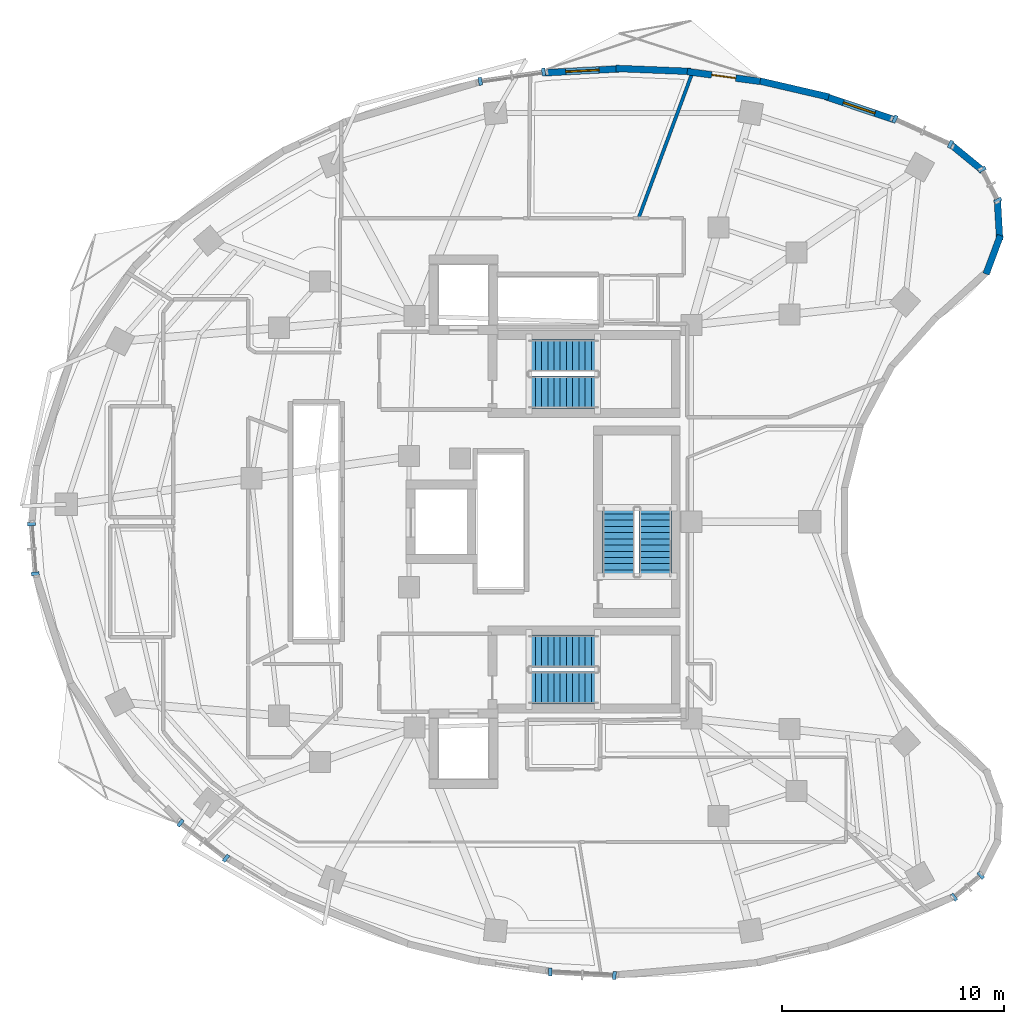
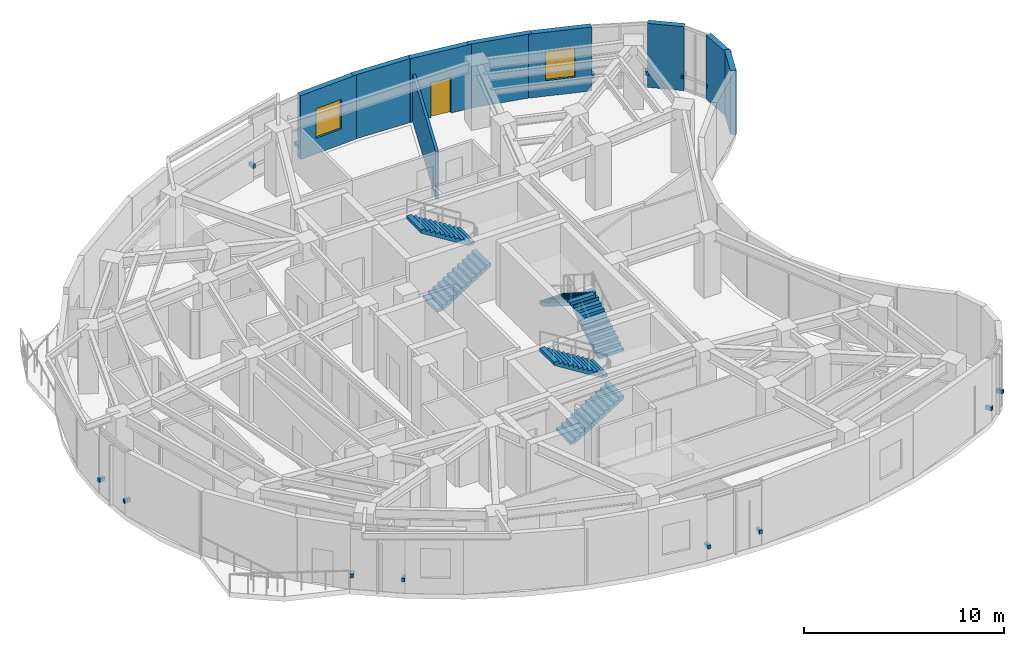
# One storey, part 10 of 13: 14 discrete accessories, 9 walls, 6 stair flights, 2 windows, 1 door, 3 openings, 3 elements without a shape of their own.
"""IFC4 building model written with IfcOpenShell, lengths in metres."""

from ifc_helpers import new_model, si_unit, direction, frame, frame_2d, origin, origin_2d, place, context, subcontext, project, spatial, polyline, rectangle, outline, extrude, material, layer, layer_set, type_object, element, fill, aggregate, save


model = new_model("IFC4")

# Units and contexts
model_context = context("Model", 3, precision=1e-05, world=origin(), true_north=direction((0.0, 1.0)))
body_context = subcontext(model_context, "Body", "Model", "MODEL_VIEW")
ifc_project = project(units=[si_unit("LENGTHUNIT", "METRE"), si_unit("AREAUNIT", "SQUARE_METRE"), si_unit("VOLUMEUNIT", "CUBIC_METRE"), si_unit("PLANEANGLEUNIT", "RADIAN"), si_unit("MASSUNIT", "GRAM", prefix="KILO")], contexts=[model_context])

# Site, building, storey
site_placement = place(None, origin())
site = spatial("IfcSite", under=ifc_project, at=site_placement, CompositionType="ELEMENT")
building_placement = place(site_placement, origin())
building = spatial("IfcBuilding", under=site, at=building_placement, Name="Korentha Bioscience Tower", CompositionType="ELEMENT")
storey_placement = place(building_placement, frame((0.0, 0.0, 183.60009765625)))
storey = spatial("IfcBuildingStorey", under=building, at=storey_placement, Name="L42", CompositionType="ELEMENT", Elevation=183.60009765625)

# Wall
ifc_material_1 = material(Name="Double-Stud Acoustic Gypsum", Category="gypsum")
ifc_layer_1 = layer(ifc_material_1, 0.14990234375, Name="Double-Stud Acoustic Gypsum")
ifc_layer_set_1 = layer_set([ifc_layer_1], Name="Double-Stud Acoustic Gypsum (IW-L150)")
wall_type_1 = type_object("IfcWallType", Name="Acoustic Laboratory Partition Wall 150", PredefinedType="PARTITIONING", material=ifc_layer_set_1)
wall_1_placement = place(storey_placement, frame((35.175537109375, 40.659912109375, 0.0), z_axis=(0.0, 0.0, 1.0), x_axis=(0.346944137663, 0.937885795468, 0.0)))
element("IfcWall", 1, at=wall_1_placement, inside=storey, type_object=wall_type_1, Name="L42 Interior Partition 066", PredefinedType="PARTITIONING", context=body_context, shape_type="SweptSolid", body=[
    extrude(rectangle(XDim=7.131103515625, YDim=0.14990234375, at=frame_2d((3.5654296875, 0.0))), origin(), (0.0, 0.0, 1.0), 2.909912109375),
])

# Wall, opening, window
ifc_material_2 = material(Name="Honed Limestone Precast Concrete C40", Category="masonry")
ifc_layer_2 = layer(ifc_material_2, 0.300048828125, Name="Honed Limestone Precast Concrete C40")
ifc_layer_set_2 = layer_set([ifc_layer_2], Name="Honed Limestone Precast Concrete C40 (EW-ST300)")
wall_type_2 = type_object("IfcWallType", Name="Honed Limestone Cavity Spandrel Wall 300", PredefinedType="STANDARD", material=ifc_layer_set_2)
wall_2_placement = place(storey_placement, frame((46.626953125, 45.105224609375, 0.0), z_axis=(0.0, 0.0, 1.0), x_axis=(-0.947663163736, 0.319271871761, 0.0)))
wall_2 = element("IfcWall", 2, at=wall_2_placement, inside=storey, type_object=wall_type_2, Name="L42 Honed Limestone Spandrel Wall 02", PredefinedType="STANDARD", context=body_context, shape_type="SweptSolid", body=[
    extrude(rectangle(XDim=3.222412109375, YDim=0.300048828125, at=frame_2d((1.611328125, 0.0))), origin(), (0.0, 0.0, 1.0), 3.89990234375),
])
opening_1_placement = place(wall_2_placement, frame((0.861083984375, 0.0, 0.949951171875)))
opening_1 = element("IfcOpeningElement", 3, at=opening_1_placement, cuts=wall_2, Name="Opening WN-02", PredefinedType="OPENING", context=body_context, shape_type="SweptSolid", body=[
    extrude(rectangle(XDim=1.5, YDim=1.800048828125, at=frame_2d((0.75, 0.89990234375))), frame((0.0, 0.1650390625, 0.0), z_axis=(0.0, -1.0, 0.0), x_axis=(1.0, 0.0, 0.0)), (0.0, 0.0, 1.0), 0.329833984375),
])
ifc_material_3 = material(Name="Thermally Broken Aluminium Triple Glazing", Category="aluminium")
window_type = type_object("IfcWindowType", Name="Acoustic Operable Office Window 1500x1800", PartitioningType="DOUBLE_PANEL_VERTICAL", PredefinedType="WINDOW", material=ifc_material_3)
window_1_placement = place(opening_1_placement, origin())
window_1 = element("IfcWindow", 4, at=window_1_placement, inside=storey, type_object=window_type, Name="L42 Facade Window 02", OverallHeight=1.800048828125, OverallWidth=1.5, PartitioningType="DOUBLE_PANEL_VERTICAL", PredefinedType="WINDOW", context=body_context, shape_type="SweptSolid", body=[
    extrude(rectangle(XDim=1.5, YDim=1.800048828125, at=frame_2d((0.75, 0.89990234375))), frame((0.0, 0.030029296875, 0.0), z_axis=(0.0, -1.0, 0.0), x_axis=(1.0, 0.0, 0.0)), (0.0, 0.0, 1.0), 0.06005859375),
])
fill(opening_1, window_1)

# Wall, opening, door
wall_3_placement = place(storey_placement, frame((40.646484375, 46.81201171875, 0.0), z_axis=(0.0, 0.0, 1.0), x_axis=(-0.991139436205, 0.132825517122, 0.0)))
wall_3 = element("IfcWall", 5, at=wall_3_placement, inside=storey, type_object=wall_type_2, Name="L42 Balcony Threshold Wall 01", PredefinedType="STANDARD", context=body_context, shape_type="SweptSolid", body=[
    extrude(rectangle(XDim=3.310302734375, YDim=0.300048828125, at=frame_2d((1.6552734375, 0.0))), origin(), (0.0, 0.0, 1.0), 3.89990234375),
])
opening_2_placement = place(wall_3_placement, frame((1.105224609375, 0.0, 0.0)))
opening_2 = element("IfcOpeningElement", 6, at=opening_2_placement, cuts=wall_3, Name="Opening BD-11L", PredefinedType="OPENING", context=body_context, shape_type="SweptSolid", body=[
    extrude(rectangle(XDim=1.10009765625, YDim=2.14990234375, at=frame_2d((0.550048828125, 1.074951171875))), frame((0.0, 0.1650390625, 0.0), z_axis=(0.0, -1.0, 0.0), x_axis=(1.0, 0.0, 0.0)), (0.0, 0.0, 1.0), 0.329833984375),
])
ifc_material_4 = material(Name="Thermally Broken Glazed Aluminium", Category="aluminium")
door_type = type_object("IfcDoorType", Name="Balcony Terrace Glazed Door 1100x2150 Left", OperationType="SINGLE_SWING_LEFT", PredefinedType="DOOR", material=ifc_material_4)
door_placement = place(opening_2_placement, origin())
door = element("IfcDoor", 7, at=door_placement, inside=storey, type_object=door_type, Name="L42 Balcony Access Door 01", OperationType="SINGLE_SWING_LEFT", OverallHeight=2.14990234375, OverallWidth=1.10009765625, PredefinedType="DOOR", context=body_context, shape_type="SweptSolid", body=[
    extrude(rectangle(XDim=1.10009765625, YDim=2.14990234375, at=frame_2d((0.550048828125, 1.074951171875))), frame((0.0, 0.02490234375, 0.0), z_axis=(0.0, -1.0, 0.0), x_axis=(1.0, 0.0, 0.0)), (0.0, 0.0, 1.0), 0.050048828125),
])
fill(opening_2, door)

# Wall, opening, window
wall_4_placement = place(storey_placement, frame((34.30908203125, 47.374755859375, 0.0), z_axis=(0.0, 0.0, 1.0), x_axis=(-0.998637826203, -0.05217750547, 0.0)))
wall_4 = element("IfcWall", 8, at=wall_4_placement, inside=storey, type_object=wall_type_2, Name="L42 Honed Limestone Spandrel Wall 06", PredefinedType="STANDARD", context=body_context, shape_type="SweptSolid", body=[
    extrude(rectangle(XDim=3.326904296875, YDim=0.300048828125, at=frame_2d((1.66357421875, 0.0))), origin(), (0.0, 0.0, 1.0), 3.89990234375),
])
opening_3_placement = place(wall_4_placement, frame((0.913330078125, 0.0, 0.949951171875)))
opening_3 = element("IfcOpeningElement", 9, at=opening_3_placement, cuts=wall_4, Name="Opening WN-02", PredefinedType="OPENING", context=body_context, shape_type="SweptSolid", body=[
    extrude(rectangle(XDim=1.5, YDim=1.800048828125, at=frame_2d((0.75, 0.89990234375))), frame((0.0, 0.1650390625, 0.0), z_axis=(0.0, -1.0, 0.0), x_axis=(1.0, 0.0, 0.0)), (0.0, 0.0, 1.0), 0.329833984375),
])
window_2_placement = place(opening_3_placement, origin())
window_2 = element("IfcWindow", 10, at=window_2_placement, inside=storey, type_object=window_type, Name="L42 Facade Window 06", OverallHeight=1.800048828125, OverallWidth=1.5, PartitioningType="DOUBLE_PANEL_VERTICAL", PredefinedType="WINDOW", context=body_context, shape_type="SweptSolid", body=[
    extrude(rectangle(XDim=1.5, YDim=1.800048828125, at=frame_2d((0.75, 0.89990234375))), frame((0.0, 0.030029296875, 0.0), z_axis=(0.0, -1.0, 0.0), x_axis=(1.0, 0.0, 0.0)), (0.0, 0.0, 1.0), 0.06005859375),
])
fill(opening_3, window_2)

# Walls
wall_5_placement = place(storey_placement, frame((43.7275390625, 46.112060546875, 0.0), z_axis=(0.0, 0.0, 1.0), x_axis=(-0.974179712493, 0.225773974956, 0.0)))
element("IfcWall", 11, at=wall_5_placement, inside=storey, type_object=wall_type_2, Name="L42 Limestone Perimeter Closure Wall 03", PredefinedType="STANDARD", context=body_context, shape_type="SweptSolid", body=[
    extrude(rectangle(XDim=3.314453125, YDim=0.300048828125, at=frame_2d((1.6572265625, 0.0))), origin(), (0.0, 0.0, 1.0), 3.89990234375),
])
wall_6_placement = place(storey_placement, frame((37.5205078125, 47.25927734375, 0.0), z_axis=(0.0, 0.0, 1.0), x_axis=(-0.999190386434, 0.040231475948, 0.0)))
element("IfcWall", 12, at=wall_6_placement, inside=storey, type_object=wall_type_2, Name="L42 Limestone Perimeter Closure Wall 05", PredefinedType="STANDARD", context=body_context, shape_type="SweptSolid", body=[
    extrude(rectangle(XDim=3.367919921875, YDim=0.300048828125, at=frame_2d((1.68408203125, 0.0))), origin(), (0.0, 0.0, 1.0), 3.89990234375),
])
for number, where, z_axis, x_axis, name in (
    (13, (50.811279296875, 38.143310546875, 0.0), (0.0, 0.0, 1.0), (0.348984166898, 0.937128620443, 0.0), "L42 Limestone Perimeter Closure Wall 59"),
    (14, (51.425537109375, 39.6669921875, 0.0), (0.0, 0.0, 1.0), (-0.057485341891, 0.998346350455, 0.0), "L42 Limestone Perimeter Closure Wall 60"),
    (15, (50.668212890625, 42.7919921875, 0.0), (0.0, 0.0, 1.0), (-0.774174596654, 0.632972111467, 0.0), "L42 Limestone Perimeter Closure Wall 62"),
):
    element("IfcWall", number, at=place(storey_placement, frame(where, z_axis=z_axis, x_axis=x_axis)), inside=storey, type_object=wall_type_2, Name=name, PredefinedType="STANDARD", context=body_context, shape_type="SweptSolid", body=[
        extrude(rectangle(XDim=1.851806640625, YDim=0.300048828125, at=frame_2d((0.92578125, 0.0))), origin(), (0.0, 0.0, 1.0), 3.89990234375),
    ])

# Stair, stair flights
ifc_material_5 = material(Name="Precast Concrete C50", Category="concrete")
stair_type = type_object("IfcStairType", Name="Core Exit Dog-Leg Stair 1450", PredefinedType="HALF_TURN_STAIR", material=ifc_material_5)
stair_1_placement = place(storey_placement, origin())
stair_1 = element("IfcStair", 16, at=stair_1_placement, inside=storey, type_object=stair_type, Name="L42 Tower North Pressurized Exit Stair ST-1", PredefinedType="HALF_TURN_STAIR")
stair_flight_type = type_object("IfcStairFlightType", Name="Core Exit Dog-Leg Stair 1450 Flight", PredefinedType="STRAIGHT", material=ifc_material_5)
stair_flight_1_placement = place(storey_placement, frame((30.25, 32.824951171875, 0.0), z_axis=(0.0, 0.0, 1.0), x_axis=(1.0, 0.0, 0.0)))
stair_flight_1 = element("IfcStairFlight", 17, at=stair_flight_1_placement, type_object=stair_flight_type, Name="ST-1 flight 1", NumberOfRisers=12, NumberOfTreads=11, PredefinedType="STRAIGHT", RiserHeight=0.175, TreadLength=0.28, context=body_context, shape_type="SweptSolid", body=[
    extrude(outline(polyline([(0.0, 0.0), (0.0, 0.175048828125), (0.280029296875, 0.175048828125), (0.280029296875, 0.35009765625), (0.56005859375, 0.35009765625), (0.56005859375, 0.52490234375), (0.840087890625, 0.52490234375), (0.840087890625, 0.699951171875), (1.1201171875, 0.699951171875), (1.1201171875, 0.875), (1.39990234375, 0.875), (1.39990234375, 1.050048828125), (1.679931640625, 1.050048828125), (1.679931640625, 1.22509765625), (1.9599609375, 1.22509765625), (1.9599609375, 1.39990234375), (2.239990234375, 1.39990234375), (2.239990234375, 1.574951171875), (2.52001953125, 1.574951171875), (2.52001953125, 1.75), (2.800048828125, 1.75), (2.800048828125, 1.925048828125), (3.080078125, 1.925048828125), (3.080078125, 2.10009765625), (3.080078125, 1.736328125), (0.3017578125, 0.0), (0.0, 0.0)])), frame((0.0, 0.72509765625, 0.0), z_axis=(0.0, -1.0, 0.0), x_axis=(1.0, 0.0, 0.0)), (0.0, 0.0, 1.0), 1.449951171875),
])
stair_flight_2_placement = place(storey_placement, frame((33.330078125, 34.47509765625, 2.099853515625), z_axis=(0.0, 0.0, 1.0), x_axis=(-1.0, 0.0, 0.0)))
stair_flight_2 = element("IfcStairFlight", 18, at=stair_flight_2_placement, type_object=stair_flight_type, Name="ST-1 flight 2", NumberOfRisers=12, NumberOfTreads=11, PredefinedType="STRAIGHT", RiserHeight=0.175, TreadLength=0.28, context=body_context, shape_type="SweptSolid", body=[
    extrude(outline(polyline([(0.0, 0.0), (0.0, 0.175048828125), (0.280029296875, 0.175048828125), (0.280029296875, 0.35009765625), (0.56005859375, 0.35009765625), (0.56005859375, 0.52490234375), (0.840087890625, 0.52490234375), (0.840087890625, 0.699951171875), (1.1201171875, 0.699951171875), (1.1201171875, 0.875), (1.39990234375, 0.875), (1.39990234375, 1.050048828125), (1.679931640625, 1.050048828125), (1.679931640625, 1.22509765625), (1.9599609375, 1.22509765625), (1.9599609375, 1.39990234375), (2.239990234375, 1.39990234375), (2.239990234375, 1.574951171875), (2.52001953125, 1.574951171875), (2.52001953125, 1.75), (2.800048828125, 1.75), (2.800048828125, 1.925048828125), (3.080078125, 1.925048828125), (3.080078125, 2.10009765625), (3.080078125, 1.736328125), (0.3017578125, 0.0), (0.0, 0.0)])), frame((0.0, 0.72509765625, 0.0), z_axis=(0.0, -1.0, 0.0), x_axis=(1.0, 0.0, 0.0)), (0.0, 0.0, 1.0), 1.449951171875),
])
aggregate(stair_1, [stair_flight_1, stair_flight_2])

stair_2_placement = place(storey_placement, origin())
stair_2 = element("IfcStair", 19, at=stair_2_placement, inside=storey, type_object=stair_type, Name="L42 Tower South Pressurized Exit Stair ST-2", PredefinedType="HALF_TURN_STAIR")
stair_flight_3_placement = place(storey_placement, frame((30.25, 19.52490234375, 0.0), z_axis=(0.0, 0.0, 1.0), x_axis=(1.0, 0.0, 0.0)))
stair_flight_3 = element("IfcStairFlight", 20, at=stair_flight_3_placement, type_object=stair_flight_type, Name="ST-2 flight 1", NumberOfRisers=12, NumberOfTreads=11, PredefinedType="STRAIGHT", RiserHeight=0.175, TreadLength=0.28, context=body_context, shape_type="SweptSolid", body=[
    extrude(outline(polyline([(0.0, 0.0), (0.0, 0.175048828125), (0.280029296875, 0.175048828125), (0.280029296875, 0.35009765625), (0.56005859375, 0.35009765625), (0.56005859375, 0.52490234375), (0.840087890625, 0.52490234375), (0.840087890625, 0.699951171875), (1.1201171875, 0.699951171875), (1.1201171875, 0.875), (1.39990234375, 0.875), (1.39990234375, 1.050048828125), (1.679931640625, 1.050048828125), (1.679931640625, 1.22509765625), (1.9599609375, 1.22509765625), (1.9599609375, 1.39990234375), (2.239990234375, 1.39990234375), (2.239990234375, 1.574951171875), (2.52001953125, 1.574951171875), (2.52001953125, 1.75), (2.800048828125, 1.75), (2.800048828125, 1.925048828125), (3.080078125, 1.925048828125), (3.080078125, 2.10009765625), (3.080078125, 1.736328125), (0.3017578125, 0.0), (0.0, 0.0)])), frame((0.0, 0.72509765625, 0.0), z_axis=(0.0, -1.0, 0.0), x_axis=(1.0, 0.0, 0.0)), (0.0, 0.0, 1.0), 1.449951171875),
])
stair_flight_4_placement = place(storey_placement, frame((33.330078125, 21.175048828125, 2.099853515625), z_axis=(0.0, 0.0, 1.0), x_axis=(-1.0, 0.0, 0.0)))
stair_flight_4 = element("IfcStairFlight", 21, at=stair_flight_4_placement, type_object=stair_flight_type, Name="ST-2 flight 2", NumberOfRisers=12, NumberOfTreads=11, PredefinedType="STRAIGHT", RiserHeight=0.175, TreadLength=0.28, context=body_context, shape_type="SweptSolid", body=[
    extrude(outline(polyline([(0.0, 0.0), (0.0, 0.175048828125), (0.280029296875, 0.175048828125), (0.280029296875, 0.35009765625), (0.56005859375, 0.35009765625), (0.56005859375, 0.52490234375), (0.840087890625, 0.52490234375), (0.840087890625, 0.699951171875), (1.1201171875, 0.699951171875), (1.1201171875, 0.875), (1.39990234375, 0.875), (1.39990234375, 1.050048828125), (1.679931640625, 1.050048828125), (1.679931640625, 1.22509765625), (1.9599609375, 1.22509765625), (1.9599609375, 1.39990234375), (2.239990234375, 1.39990234375), (2.239990234375, 1.574951171875), (2.52001953125, 1.574951171875), (2.52001953125, 1.75), (2.800048828125, 1.75), (2.800048828125, 1.925048828125), (3.080078125, 1.925048828125), (3.080078125, 2.10009765625), (3.080078125, 1.736328125), (0.3017578125, 0.0), (0.0, 0.0)])), frame((0.0, 0.72509765625, 0.0), z_axis=(0.0, -1.0, 0.0), x_axis=(1.0, 0.0, 0.0)), (0.0, 0.0, 1.0), 1.449951171875),
])
aggregate(stair_2, [stair_flight_3, stair_flight_4])

stair_3_placement = place(storey_placement, origin())
stair_3 = element("IfcStair", 22, at=stair_3_placement, inside=storey, type_object=stair_type, Name="L42 Tower Central Pressurized Exit Stair ST-3", PredefinedType="HALF_TURN_STAIR")
stair_flight_5_placement = place(storey_placement, frame((35.925048828125, 24.550048828125, 0.0), z_axis=(0.0, 0.0, 1.0), x_axis=(0.0, 1.0, 0.0)))
stair_flight_5 = element("IfcStairFlight", 23, at=stair_flight_5_placement, type_object=stair_flight_type, Name="ST-3 flight 1", NumberOfRisers=12, NumberOfTreads=11, PredefinedType="STRAIGHT", RiserHeight=0.175, TreadLength=0.28, context=body_context, shape_type="SweptSolid", body=[
    extrude(outline(polyline([(0.0, 0.0), (0.0, 0.175048828125), (0.280029296875, 0.175048828125), (0.280029296875, 0.35009765625), (0.56005859375, 0.35009765625), (0.56005859375, 0.52490234375), (0.840087890625, 0.52490234375), (0.840087890625, 0.699951171875), (1.1201171875, 0.699951171875), (1.1201171875, 0.875), (1.39990234375, 0.875), (1.39990234375, 1.050048828125), (1.679931640625, 1.050048828125), (1.679931640625, 1.22509765625), (1.9599609375, 1.22509765625), (1.9599609375, 1.39990234375), (2.239990234375, 1.39990234375), (2.239990234375, 1.574951171875), (2.52001953125, 1.574951171875), (2.52001953125, 1.75), (2.800048828125, 1.75), (2.800048828125, 1.925048828125), (3.080078125, 1.925048828125), (3.080078125, 2.10009765625), (3.080078125, 1.736328125), (0.3017578125, 0.0), (0.0, 0.0)])), frame((0.0, 0.72509765625, 0.0), z_axis=(0.0, -1.0, 0.0), x_axis=(1.0, 0.0, 0.0)), (0.0, 0.0, 1.0), 1.449951171875),
])
stair_flight_6_placement = place(storey_placement, frame((34.27490234375, 27.6298828125, 2.099853515625), z_axis=(0.0, 0.0, 1.0), x_axis=(0.0, -1.0, 0.0)))
stair_flight_6 = element("IfcStairFlight", 24, at=stair_flight_6_placement, type_object=stair_flight_type, Name="ST-3 flight 2", NumberOfRisers=12, NumberOfTreads=11, PredefinedType="STRAIGHT", RiserHeight=0.175, TreadLength=0.28, context=body_context, shape_type="SweptSolid", body=[
    extrude(outline(polyline([(0.0, 0.0), (0.0, 0.175048828125), (0.280029296875, 0.175048828125), (0.280029296875, 0.35009765625), (0.56005859375, 0.35009765625), (0.56005859375, 0.52490234375), (0.840087890625, 0.52490234375), (0.840087890625, 0.699951171875), (1.1201171875, 0.699951171875), (1.1201171875, 0.875), (1.39990234375, 0.875), (1.39990234375, 1.050048828125), (1.679931640625, 1.050048828125), (1.679931640625, 1.22509765625), (1.9599609375, 1.22509765625), (1.9599609375, 1.39990234375), (2.239990234375, 1.39990234375), (2.239990234375, 1.574951171875), (2.52001953125, 1.574951171875), (2.52001953125, 1.75), (2.800048828125, 1.75), (2.800048828125, 1.925048828125), (3.080078125, 1.925048828125), (3.080078125, 2.10009765625), (3.080078125, 1.736328125), (0.3017578125, 0.0), (0.0, 0.0)])), frame((0.0, 0.72509765625, 0.0), z_axis=(0.0, -1.0, 0.0), x_axis=(1.0, 0.0, 0.0)), (0.0, 0.0, 1.0), 1.449951171875),
])
aggregate(stair_3, [stair_flight_5, stair_flight_6])

# Discrete accessories
ifc_material_6 = material(Name="Stainless Steel 316", Category="steel")
discrete_accessory_type = type_object("IfcDiscreteAccessoryType", Name="Stainless Steel Solar-Screen Outrigger Bracket", PredefinedType="BRACKET", material=ifc_material_6)
for number, where, z_axis, x_axis, name in (
    (25, (49.205810546875, 43.982421875, 0.73974609375), (0.0, 0.0, 1.0), (-0.910644398392, 0.413190972406, 0.0), "CW-L42-01 Solar-Screen Support Bracket 1"),
    (26, (46.70947265625, 45.114990234375, 0.73974609375), (0.0, 0.0, 1.0), (-0.910644398392, 0.413190972406, 0.0), "CW-L42-01 Solar-Screen Support Bracket 2"),
    (27, (30.89990234375, 47.232666015625, 0.73974609375), (0.0, 0.0, 1.0), (-0.989461919888, -0.144793332342, 0.0), "CW-L42-07 Solar-Screen Support Bracket 1"),
    (28, (28.0556640625, 46.81640625, 0.73974609375), (0.0, 0.0, 1.0), (-0.989461919888, -0.144793332342, 0.0), "CW-L42-07 Solar-Screen Support Bracket 2"),
    (29, (7.8544921875, 26.89599609375, 0.73974609375), (0.0, 0.0, 1.0), (0.078030772566, -0.996950950916, 0.0), "CW-L42-19 Solar-Screen Support Bracket 1"),
    (30, (8.029541015625, 24.658447265625, 0.73974609375), (0.0, 0.0, 1.0), (0.078030772566, -0.996950950916, 0.0), "CW-L42-19 Solar-Screen Support Bracket 2"),
    (31, (14.565673828125, 13.443359375, 0.73974609375), (0.0, 0.0, 1.0), (0.790546796919, -0.612401634454, 0.0), "CW-L42-25 Solar-Screen Support Bracket 1"),
    (32, (16.61083984375, 11.859130859375, 0.73974609375), (0.0, 0.0, 1.0), (0.790546796919, -0.612401634454, 0.0), "CW-L42-25 Solar-Screen Support Bracket 2"),
    (33, (31.201171875, 6.737548828125, 0.73974609375), (0.0, 0.0, 1.0), (0.998637677307, -0.052180355139, 0.0), "CW-L42-31 Solar-Screen Support Bracket 1"),
    (34, (34.089599609375, 6.586669921875, 0.73974609375), (0.0, 0.0, 1.0), (0.998637677307, -0.052180355139, 0.0), "CW-L42-31 Solar-Screen Support Bracket 2"),
    (35, (49.366943359375, 10.10546875, 0.73974609375), (0.0, 0.0, 1.0), (0.77425646139, 0.632871971251, 0.0), "CW-L42-37 Solar-Screen Support Bracket 1"),
    (36, (50.573974609375, 11.092041015625, 0.73974609375), (0.0, 0.0, 1.0), (0.77425646139, 0.632871971251, 0.0), "CW-L42-37 Solar-Screen Support Bracket 2"),
    (37, (51.33544921875, 41.452880859375, 0.73974609375), (0.0, 0.0, 1.0), (-0.45428845847, 0.890854643868, 0.0), "CW-L42-61 Solar-Screen Support Bracket 1"),
    (38, (50.627197265625, 42.842041015625, 0.73974609375), (0.0, 0.0, 1.0), (-0.45428845847, 0.890854643868, 0.0), "CW-L42-61 Solar-Screen Support Bracket 2"),
):
    element("IfcDiscreteAccessory", number, at=place(storey_placement, frame(where, z_axis=z_axis, x_axis=x_axis)), inside=storey, type_object=discrete_accessory_type, Name=name, PredefinedType="BRACKET", context=body_context, shape_type="SweptSolid", body=[
        extrude(rectangle(XDim=0.159912109375, YDim=0.360107421875, at=origin_2d()), origin(), (0.0, 0.0, 1.0), 0.219970703125),
    ])

save(model, "model.ifc")
